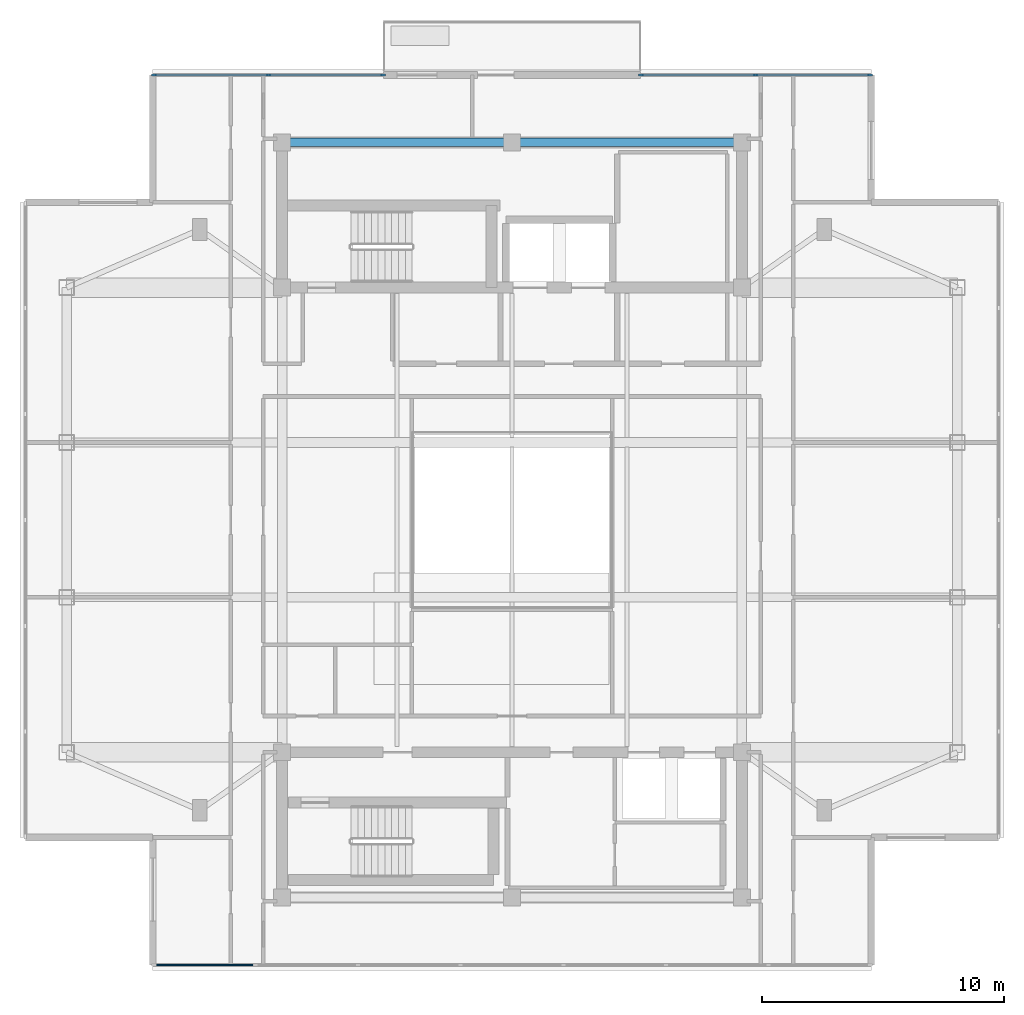
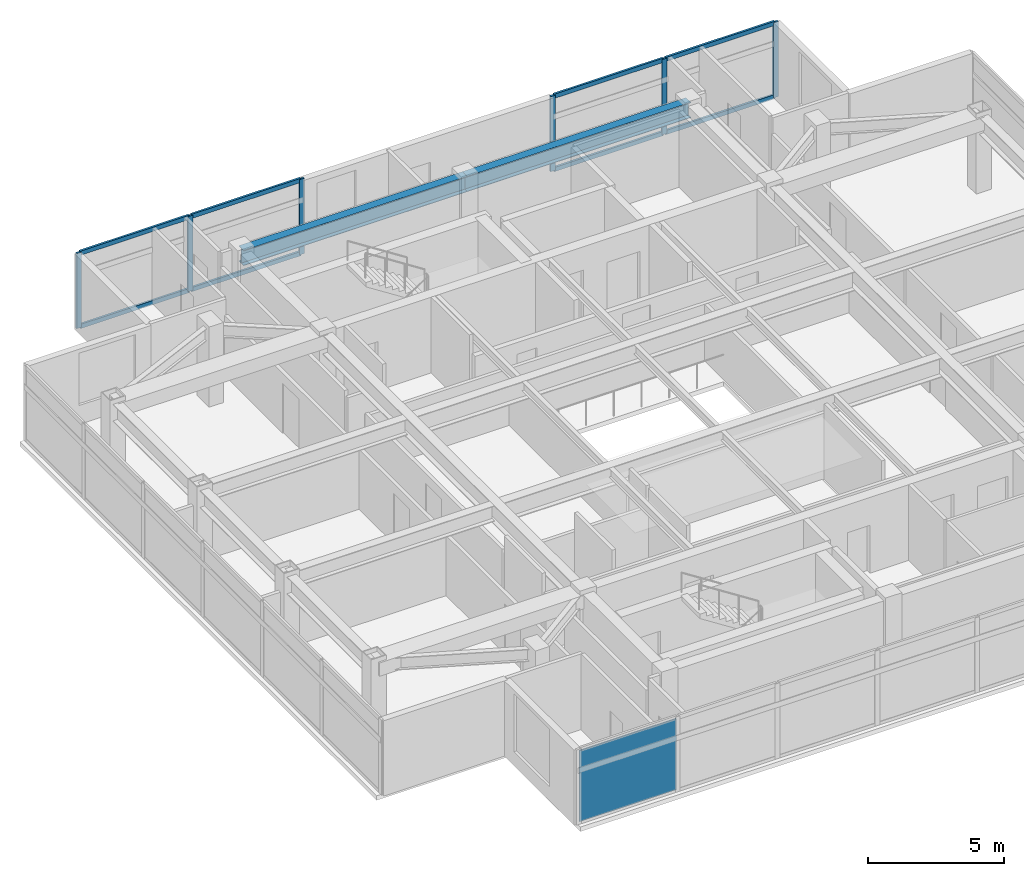
# One storey, part 4 of 12: 14 members, 2 beams, 1 plate, 3 elements without a shape of their own.
"""IFC4 building model written with IfcOpenShell, lengths in metres."""

from ifc_helpers import new_model, si_unit, direction, frame, origin, origin_2d, place, context, subcontext, project, spatial, rectangle, i_section, extrude, material, layer, layer_set, material_profile, profile_set, type_object, element, aggregate, save


model = new_model("IFC4")

# Units and contexts
model_context = context("Model", 3, precision=1e-05, world=origin(), true_north=direction((0.0, 1.0)))
body_context = subcontext(model_context, "Body", "Model", "MODEL_VIEW")
ifc_project = project(units=[si_unit("LENGTHUNIT", "METRE"), si_unit("AREAUNIT", "SQUARE_METRE"), si_unit("VOLUMEUNIT", "CUBIC_METRE"), si_unit("PLANEANGLEUNIT", "RADIAN"), si_unit("MASSUNIT", "GRAM", prefix="KILO")], contexts=[model_context])

# Site, building, storey
site_placement = place(None, origin())
site = spatial("IfcSite", under=ifc_project, at=site_placement, CompositionType="ELEMENT")
building_placement = place(site_placement, origin())
building = spatial("IfcBuilding", under=site, at=building_placement, Name="Mirazonda Arch Towers", CompositionType="ELEMENT")
storey_placement = place(building_placement, frame((0.0, 0.0, 252.699951171875)))
storey = spatial("IfcBuildingStorey", under=building, at=storey_placement, Name="L72", CompositionType="ELEMENT", Elevation=252.699951171875)

# Beams
ifc_material_1 = material(Name="Steel ASTM A992 Grade 50", Category="steel")
ifc_material_profile_1 = material_profile(ifc_material_1, i_section(OverallWidth=0.35498046875, OverallDepth=0.696044921875, WebThickness=0.015380859375, FlangeThickness=0.02490234375, at=origin_2d()), Name="W27X146")
ifc_profile_set_1 = profile_set([ifc_material_profile_1], Name="Steel ASTM A992 Grade 50")
beam_type = type_object("IfcBeamType", Name="BM-INT-W27X146", PredefinedType="BEAM", material=ifc_profile_set_1)
for number, where, z_axis, x_axis, name in (
    (1, (11.0, 43.60009765625, 3.052001953125), (1.0, 0.0, 0.0), (0.0, 1.0, 0.0), "L72 Floor Beam BM-T1-L72-CN1"),
    (2, (20.5, 43.60009765625, 3.052001953125), (1.0, 0.0, 0.0), (0.0, 1.0, 0.0), "L72 Floor Beam BM-T1-L72-CN2"),
):
    element("IfcBeam", number, at=place(storey_placement, frame(where, z_axis=z_axis, x_axis=x_axis)), inside=storey, type_object=beam_type, Name=name, PredefinedType="BEAM", context=body_context, shape_type="SweptSolid", body=[
        extrude(i_section(OverallWidth=0.35498046875, OverallDepth=0.696044921875, WebThickness=0.015380859375, FlangeThickness=0.02490234375, at=origin_2d()), origin(), (0.0, 0.0, 1.0), 9.5),
    ])

# Curtain wall, members
ifc_material_2 = material(Name="Anodised Aluminium and Low-E Glass", Category="aluminium")
curtain_wall_type = type_object("IfcCurtainWallType", Name="CW-OBS-LANTERN", PredefinedType="NOTDEFINED", material=ifc_material_2)
curtain_wall_1_placement = place(storey_placement, origin())
curtain_wall_1 = element("IfcCurtainWall", 3, at=curtain_wall_1_placement, inside=storey, type_object=curtain_wall_type, Name="L72 Curtain Wall CW-L72-T1-NA", PredefinedType="NOTDEFINED")
ifc_material_3 = material(Name="Anodised Aluminium Alloy", Category="aluminium")
ifc_material_profile_2 = material_profile(ifc_material_3, rectangle(XDim=0.090087890625, YDim=0.2099609375, at=origin_2d()), Name="ALU-MULL-90x210")
ifc_profile_set_2 = profile_set([ifc_material_profile_2], Name="Anodised Aluminium Alloy")
member_type_1 = type_object("IfcMemberType", Name="MULL-CW-OBS-LANTERN", PredefinedType="MULLION", material=ifc_profile_set_2)
member_1_placement = place(storey_placement, frame((5.699951171875, 46.387939453125, 0.0), z_axis=(0.0, 0.0, 1.0), x_axis=(0.0, 1.0, 0.0)))
member_1 = element("IfcMember", 4, at=member_1_placement, type_object=member_type_1, Name="CW-110 mullion 1", PredefinedType="MULLION", context=body_context, shape_type="SweptSolid", body=[
    extrude(rectangle(XDim=0.090087890625, YDim=0.2099609375, at=origin_2d()), origin(), (0.0, 0.0, 1.0), 3.380126953125),
])
member_2_placement = place(storey_placement, frame((10.4326171875, 46.387939453125, 0.0), z_axis=(0.0, 0.0, 1.0), x_axis=(0.0, 1.0, 0.0)))
member_2 = element("IfcMember", 5, at=member_2_placement, type_object=member_type_1, Name="CW-110 mullion 2", PredefinedType="MULLION", context=body_context, shape_type="SweptSolid", body=[
    extrude(rectangle(XDim=0.090087890625, YDim=0.2099609375, at=origin_2d()), origin(), (0.0, 0.0, 1.0), 3.380126953125),
])
member_3_placement = place(storey_placement, frame((15.1650390625, 46.387939453125, 0.0), z_axis=(0.0, 0.0, 1.0), x_axis=(0.0, 1.0, 0.0)))
member_3 = element("IfcMember", 6, at=member_3_placement, type_object=member_type_1, Name="CW-110 mullion 3", PredefinedType="MULLION", context=body_context, shape_type="SweptSolid", body=[
    extrude(rectangle(XDim=0.090087890625, YDim=0.2099609375, at=origin_2d()), origin(), (0.0, 0.0, 1.0), 3.380126953125),
])

curtain_wall_2_placement = place(storey_placement, origin())
curtain_wall_2 = element("IfcCurtainWall", 7, at=curtain_wall_2_placement, inside=storey, type_object=curtain_wall_type, Name="L72 Curtain Wall CW-L72-T1-NB", PredefinedType="NOTDEFINED")
member_4_placement = place(storey_placement, frame((25.8349609375, 46.387939453125, 0.0), z_axis=(0.0, 0.0, 1.0), x_axis=(0.0, 1.0, 0.0)))
member_4 = element("IfcMember", 8, at=member_4_placement, type_object=member_type_1, Name="CW-110 mullion 1", PredefinedType="MULLION", context=body_context, shape_type="SweptSolid", body=[
    extrude(rectangle(XDim=0.090087890625, YDim=0.2099609375, at=origin_2d()), origin(), (0.0, 0.0, 1.0), 3.380126953125),
])
member_5_placement = place(storey_placement, frame((30.5673828125, 46.387939453125, 0.0), z_axis=(0.0, 0.0, 1.0), x_axis=(0.0, 1.0, 0.0)))
member_5 = element("IfcMember", 9, at=member_5_placement, type_object=member_type_1, Name="CW-110 mullion 2", PredefinedType="MULLION", context=body_context, shape_type="SweptSolid", body=[
    extrude(rectangle(XDim=0.090087890625, YDim=0.2099609375, at=origin_2d()), origin(), (0.0, 0.0, 1.0), 3.380126953125),
])
member_6_placement = place(storey_placement, frame((35.300048828125, 46.387939453125, 0.0), z_axis=(0.0, 0.0, 1.0), x_axis=(0.0, 1.0, 0.0)))
member_6 = element("IfcMember", 10, at=member_6_placement, type_object=member_type_1, Name="CW-110 mullion 3", PredefinedType="MULLION", context=body_context, shape_type="SweptSolid", body=[
    extrude(rectangle(XDim=0.090087890625, YDim=0.2099609375, at=origin_2d()), origin(), (0.0, 0.0, 1.0), 3.380126953125),
])

# Member
ifc_material_profile_3 = material_profile(ifc_material_3, rectangle(XDim=0.090087890625, YDim=0.18994140625, at=origin_2d()), Name="ALU-TRAN-90x190")
ifc_profile_set_3 = profile_set([ifc_material_profile_3], Name="Anodised Aluminium Alloy")
member_type_2 = type_object("IfcMemberType", Name="TRAN-CW-OBS-LANTERN", PredefinedType="USERDEFINED", material=ifc_profile_set_3)
member_7_placement = place(storey_placement, frame((5.7451171875, 46.387939453125, 0.045166015625), z_axis=(1.0, 0.0, 0.0), x_axis=(0.0, 1.0, 0.0)))
member_7 = element("IfcMember", 11, at=member_7_placement, type_object=member_type_2, Name="CW-110 transom 1.1", ObjectType="TRANSOM", PredefinedType="USERDEFINED", context=body_context, shape_type="SweptSolid", body=[
    extrude(rectangle(XDim=0.090087890625, YDim=0.18994140625, at=origin_2d()), origin(), (0.0, 0.0, 1.0), 4.642333984375),
])

member_8_placement = place(storey_placement, frame((5.7451171875, 46.387939453125, 3.3349609375), z_axis=(1.0, 0.0, 0.0), x_axis=(0.0, 1.0, 0.0)))
member_8 = element("IfcMember", 12, at=member_8_placement, type_object=member_type_2, Name="CW-110 transom 1.2", ObjectType="TRANSOM", PredefinedType="USERDEFINED", context=body_context, shape_type="SweptSolid", body=[
    extrude(rectangle(XDim=0.090087890625, YDim=0.18994140625, at=origin_2d()), origin(), (0.0, 0.0, 1.0), 4.642333984375),
])

member_9_placement = place(storey_placement, frame((10.4775390625, 46.387939453125, 0.045166015625), z_axis=(1.0, 0.0, 0.0), x_axis=(0.0, 1.0, 0.0)))
member_9 = element("IfcMember", 13, at=member_9_placement, type_object=member_type_2, Name="CW-110 transom 2.1", ObjectType="TRANSOM", PredefinedType="USERDEFINED", context=body_context, shape_type="SweptSolid", body=[
    extrude(rectangle(XDim=0.090087890625, YDim=0.18994140625, at=origin_2d()), origin(), (0.0, 0.0, 1.0), 4.642578125),
])

member_10_placement = place(storey_placement, frame((10.4775390625, 46.387939453125, 3.3349609375), z_axis=(1.0, 0.0, 0.0), x_axis=(0.0, 1.0, 0.0)))
member_10 = element("IfcMember", 14, at=member_10_placement, type_object=member_type_2, Name="CW-110 transom 2.2", ObjectType="TRANSOM", PredefinedType="USERDEFINED", context=body_context, shape_type="SweptSolid", body=[
    extrude(rectangle(XDim=0.090087890625, YDim=0.18994140625, at=origin_2d()), origin(), (0.0, 0.0, 1.0), 4.642578125),
])

aggregate(curtain_wall_1, [member_1, member_2, member_3, member_7, member_8, member_9, member_10])

member_11_placement = place(storey_placement, frame((25.8798828125, 46.387939453125, 0.045166015625), z_axis=(1.0, 0.0, 0.0), x_axis=(0.0, 1.0, 0.0)))
member_11 = element("IfcMember", 15, at=member_11_placement, type_object=member_type_2, Name="CW-110 transom 1.1", ObjectType="TRANSOM", PredefinedType="USERDEFINED", context=body_context, shape_type="SweptSolid", body=[
    extrude(rectangle(XDim=0.090087890625, YDim=0.18994140625, at=origin_2d()), origin(), (0.0, 0.0, 1.0), 4.642578125),
])

member_12_placement = place(storey_placement, frame((25.8798828125, 46.387939453125, 3.3349609375), z_axis=(1.0, 0.0, 0.0), x_axis=(0.0, 1.0, 0.0)))
member_12 = element("IfcMember", 16, at=member_12_placement, type_object=member_type_2, Name="CW-110 transom 1.2", ObjectType="TRANSOM", PredefinedType="USERDEFINED", context=body_context, shape_type="SweptSolid", body=[
    extrude(rectangle(XDim=0.090087890625, YDim=0.18994140625, at=origin_2d()), origin(), (0.0, 0.0, 1.0), 4.642578125),
])

member_13_placement = place(storey_placement, frame((30.612548828125, 46.387939453125, 0.045166015625), z_axis=(1.0, 0.0, 0.0), x_axis=(0.0, 1.0, 0.0)))
member_13 = element("IfcMember", 17, at=member_13_placement, type_object=member_type_2, Name="CW-110 transom 2.1", ObjectType="TRANSOM", PredefinedType="USERDEFINED", context=body_context, shape_type="SweptSolid", body=[
    extrude(rectangle(XDim=0.090087890625, YDim=0.18994140625, at=origin_2d()), origin(), (0.0, 0.0, 1.0), 4.642333984375),
])

member_14_placement = place(storey_placement, frame((30.612548828125, 46.387939453125, 3.3349609375), z_axis=(1.0, 0.0, 0.0), x_axis=(0.0, 1.0, 0.0)))
member_14 = element("IfcMember", 18, at=member_14_placement, type_object=member_type_2, Name="CW-110 transom 2.2", ObjectType="TRANSOM", PredefinedType="USERDEFINED", context=body_context, shape_type="SweptSolid", body=[
    extrude(rectangle(XDim=0.090087890625, YDim=0.18994140625, at=origin_2d()), origin(), (0.0, 0.0, 1.0), 4.642333984375),
])

aggregate(curtain_wall_2, [member_4, member_5, member_6, member_11, member_12, member_13, member_14])

# Curtain wall, plate
curtain_wall_3_placement = place(storey_placement, origin())
curtain_wall_3 = element("IfcCurtainWall", 19, at=curtain_wall_3_placement, inside=storey, type_object=curtain_wall_type, Name="L72 T1 S Facade CW-L72-T1-S", PredefinedType="NOTDEFINED")
ifc_material_4 = material(Name="Insulated Low-E Solar Glass", Category="glass")
ifc_layer = layer(ifc_material_4, 0.048095703125, Name="PAN-CW-OBS-LANTERN")
ifc_layer_set = layer_set([ifc_layer], Name="Insulated Low-E Solar Glass")
plate_type = type_object("IfcPlateType", Name="PAN-CW-OBS-LANTERN", PredefinedType="CURTAIN_PANEL", material=ifc_layer_set)
plate_placement = place(storey_placement, frame((7.798095703125, 9.612060546875, 0.08984375), z_axis=(0.0, 0.0, 1.0), x_axis=(-1.0, 0.0, 0.0)))
plate = element("IfcPlate", 20, at=plate_placement, type_object=plate_type, Name="CW-110 panel 7.1", PredefinedType="CURTAIN_PANEL", context=body_context, shape_type="SweptSolid", body=[
    extrude(rectangle(XDim=4.1064453125, YDim=0.048095703125, at=origin_2d()), origin(), (0.0, 0.0, 1.0), 3.199951171875),
])
aggregate(curtain_wall_3, [plate])

save(model, "model.ifc")
